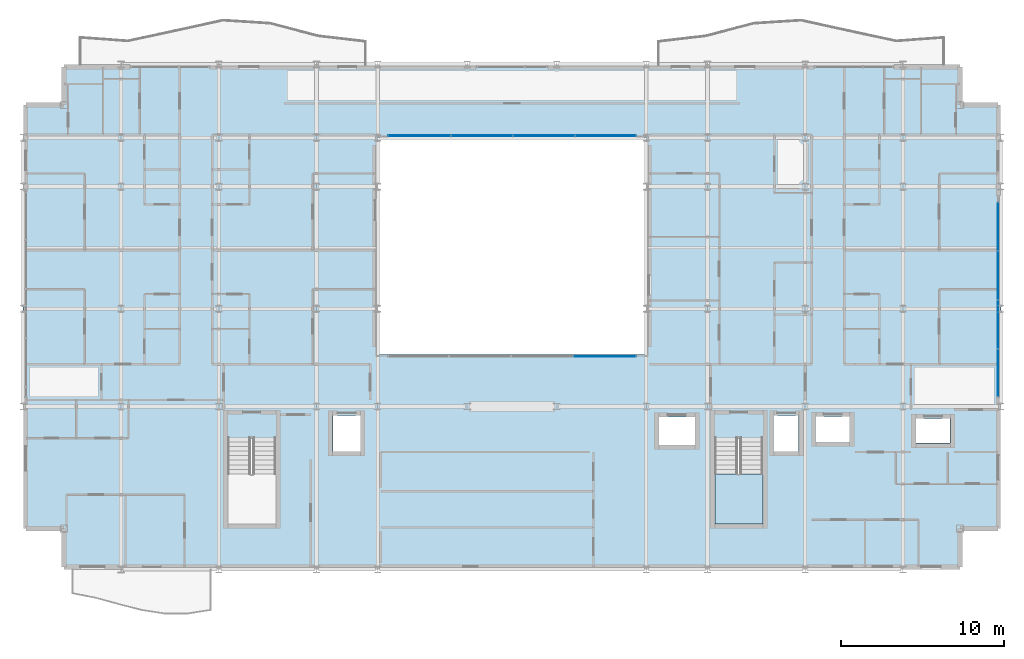
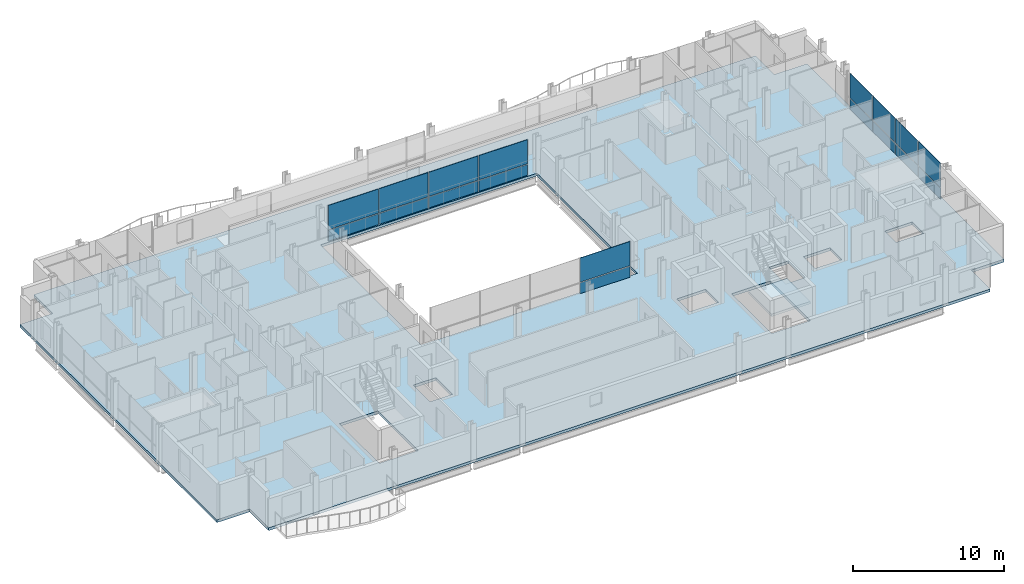
# One storey, part 27 of 41: 18 plates, 2 slabs, 4 elements without a shape of their own.
"""IFC4 building model written with IfcOpenShell, lengths in metres."""

from ifc_helpers import new_model, si_unit, direction, frame, origin, origin_2d, place, context, subcontext, project, spatial, polyline, rectangle, outline, extrude, material, layer, layer_set, type_object, element, aggregate, save


model = new_model("IFC4")

# Units and contexts
model_context = context("Model", 3, precision=1e-05, world=origin(), true_north=direction((0.0, 1.0)))
body_context = subcontext(model_context, "Body", "Model", "MODEL_VIEW")
ifc_project = project(units=[si_unit("LENGTHUNIT", "METRE"), si_unit("AREAUNIT", "SQUARE_METRE"), si_unit("VOLUMEUNIT", "CUBIC_METRE"), si_unit("PLANEANGLEUNIT", "RADIAN"), si_unit("MASSUNIT", "GRAM", prefix="KILO")], contexts=[model_context])

# Site, building, storey
site_placement = place(None, origin())
site = spatial("IfcSite", under=ifc_project, at=site_placement, CompositionType="ELEMENT")
building_placement = place(site_placement, origin())
building = spatial("IfcBuilding", under=site, at=building_placement, Name="Brevholm Reach", CompositionType="ELEMENT")
storey_placement = place(building_placement, frame((0.0, 0.0, 112.800048828125)))
storey = spatial("IfcBuildingStorey", under=building, at=storey_placement, Name="L33", CompositionType="ELEMENT", Elevation=112.800048828125)

# Curtain wall, plates
ifc_material_1 = material(Name="Dark Anodised Aluminium 6063-T6 and Solar-Control Glass", Category="aluminium")
ifc_layer_1 = layer(ifc_material_1, 0.14990234375)
ifc_layer_set_1 = layer_set([ifc_layer_1], Name="Dark Anodised Aluminium 6063-T6 and Solar-Control Glass")
curtain_wall_type_1 = type_object("IfcCurtainWallType", Name="CW-01", PredefinedType="NOTDEFINED", material=ifc_layer_set_1)
curtain_wall_1_placement = place(storey_placement, origin())
curtain_wall_1 = element("IfcCurtainWall", 1, at=curtain_wall_1_placement, inside=storey, type_object=curtain_wall_type_1, Name="L33 Curtain Wall CW-01", PredefinedType="NOTDEFINED")
ifc_material_2 = material(Name="Dark Solar-Control Double-Glazed IGU Glass", Category="glass")
ifc_layer_2 = layer(ifc_material_2, 0.028076171875)
ifc_layer_set_2 = layer_set([ifc_layer_2], Name="Dark Solar-Control Double-Glazed IGU Glass")
plate_type_1 = type_object("IfcPlateType", Name="CWP-GLZ-28", PredefinedType="CURTAIN_PANEL", material=ifc_layer_set_2)
plate_1_placement = place(storey_placement, frame((59.85009765625, 12.066162109375, 0.0), z_axis=(0.0, 0.0, 1.0), x_axis=(0.0, 1.0, 0.0)))
plate_1 = element("IfcPlate", 2, at=plate_1_placement, type_object=plate_type_1, Name="CP-01 Glazing Panel 1.1", PredefinedType="CURTAIN_PANEL", context=body_context, shape_type="SweptSolid", body=[
    extrude(rectangle(XDim=2.902587890625, YDim=0.028076171875, at=origin_2d()), origin(), (0.0, 0.0, 1.0), 0.867431640625),
])
plate_2_placement = place(storey_placement, frame((59.85009765625, 12.066162109375, 0.9326171875), z_axis=(0.0, 0.0, 1.0), x_axis=(0.0, 1.0, 0.0)))
plate_2 = element("IfcPlate", 3, at=plate_2_placement, type_object=plate_type_1, Name="CP-01 Glazing Panel 1.2", PredefinedType="CURTAIN_PANEL", context=body_context, shape_type="SweptSolid", body=[
    extrude(rectangle(XDim=2.902587890625, YDim=0.028076171875, at=origin_2d()), origin(), (0.0, 0.0, 1.0), 1.947509765625),
])
plate_3_placement = place(storey_placement, frame((59.85009765625, 15.050048828125, 0.0), z_axis=(0.0, 0.0, 1.0), x_axis=(0.0, 1.0, 0.0)))
plate_3 = element("IfcPlate", 4, at=plate_3_placement, type_object=plate_type_1, Name="CP-01 Glazing Panel 2.1", PredefinedType="CURTAIN_PANEL", context=body_context, shape_type="SweptSolid", body=[
    extrude(rectangle(XDim=2.93505859375, YDim=0.028076171875, at=origin_2d()), origin(), (0.0, 0.0, 1.0), 0.867431640625),
])
plate_4_placement = place(storey_placement, frame((59.85009765625, 15.050048828125, 0.9326171875), z_axis=(0.0, 0.0, 1.0), x_axis=(0.0, 1.0, 0.0)))
plate_4 = element("IfcPlate", 5, at=plate_4_placement, type_object=plate_type_1, Name="CP-01 Glazing Panel 2.2", PredefinedType="CURTAIN_PANEL", context=body_context, shape_type="SweptSolid", body=[
    extrude(rectangle(XDim=2.93505859375, YDim=0.028076171875, at=origin_2d()), origin(), (0.0, 0.0, 1.0), 1.947509765625),
])
plate_5_placement = place(storey_placement, frame((59.85009765625, 18.050048828125, 0.0), z_axis=(0.0, 0.0, 1.0), x_axis=(0.0, 1.0, 0.0)))
plate_5 = element("IfcPlate", 6, at=plate_5_placement, type_object=plate_type_1, Name="CP-01 Glazing Panel 3.1", PredefinedType="CURTAIN_PANEL", context=body_context, shape_type="SweptSolid", body=[
    extrude(rectangle(XDim=2.93505859375, YDim=0.028076171875, at=origin_2d()), origin(), (0.0, 0.0, 1.0), 0.867431640625),
])
plate_6_placement = place(storey_placement, frame((59.85009765625, 18.050048828125, 0.9326171875), z_axis=(0.0, 0.0, 1.0), x_axis=(0.0, 1.0, 0.0)))
plate_6 = element("IfcPlate", 7, at=plate_6_placement, type_object=plate_type_1, Name="CP-01 Glazing Panel 3.2", PredefinedType="CURTAIN_PANEL", context=body_context, shape_type="SweptSolid", body=[
    extrude(rectangle(XDim=2.93505859375, YDim=0.028076171875, at=origin_2d()), origin(), (0.0, 0.0, 1.0), 1.947509765625),
])
plate_7_placement = place(storey_placement, frame((59.85009765625, 21.050048828125, 0.0), z_axis=(0.0, 0.0, 1.0), x_axis=(0.0, 1.0, 0.0)))
plate_7 = element("IfcPlate", 8, at=plate_7_placement, type_object=plate_type_1, Name="CP-01 Glazing Panel 4.1", PredefinedType="CURTAIN_PANEL", context=body_context, shape_type="SweptSolid", body=[
    extrude(rectangle(XDim=2.93505859375, YDim=0.028076171875, at=origin_2d()), origin(), (0.0, 0.0, 1.0), 0.867431640625),
])
plate_8_placement = place(storey_placement, frame((59.85009765625, 21.050048828125, 0.9326171875), z_axis=(0.0, 0.0, 1.0), x_axis=(0.0, 1.0, 0.0)))
plate_8 = element("IfcPlate", 9, at=plate_8_placement, type_object=plate_type_1, Name="CP-01 Glazing Panel 4.2", PredefinedType="CURTAIN_PANEL", context=body_context, shape_type="SweptSolid", body=[
    extrude(rectangle(XDim=2.93505859375, YDim=0.028076171875, at=origin_2d()), origin(), (0.0, 0.0, 1.0), 1.947509765625),
])
aggregate(curtain_wall_1, [plate_1, plate_2, plate_3, plate_4, plate_5, plate_6, plate_7, plate_8])

ifc_material_3 = material(Name="Dark Anodised Aluminium 6063-T6 and Solar-Control Glass", Category="aluminium")
ifc_layer_3 = layer(ifc_material_3, 0.139892578125)
ifc_layer_set_3 = layer_set([ifc_layer_3], Name="Dark Anodised Aluminium 6063-T6 and Solar-Control Glass")
curtain_wall_type_2 = type_object("IfcCurtainWallType", Name="CW-02", PredefinedType="NOTDEFINED", material=ifc_layer_set_3)
curtain_wall_2_placement = place(storey_placement, origin())
curtain_wall_2 = element("IfcCurtainWall", 10, at=curtain_wall_2_placement, inside=storey, type_object=curtain_wall_type_2, Name="L33 Curtain Wall CW-02", PredefinedType="NOTDEFINED")
ifc_material_4 = material(Name="Low-Iron Laminated Acoustic Glass", Category="glass")
ifc_layer_4 = layer(ifc_material_4, 0.035888671875)
ifc_layer_set_4 = layer_set([ifc_layer_4], Name="Low-Iron Laminated Acoustic Glass")
plate_type_2 = type_object("IfcPlateType", Name="CWP-GLZ-36", PredefinedType="CURTAIN_PANEL", material=ifc_layer_set_4)
plate_9_placement = place(storey_placement, frame((35.68505859375, 13.080078125, 0.0), z_axis=(0.0, 0.0, 1.0), x_axis=(1.0, 0.0, 0.0)))
plate_9 = element("IfcPlate", 11, at=plate_9_placement, type_object=plate_type_2, Name="CP-02 Glazing Panel 4.1", PredefinedType="CURTAIN_PANEL", context=body_context, shape_type="SweptSolid", body=[
    extrude(rectangle(XDim=3.81005859375, YDim=0.035888671875, at=origin_2d()), origin(), (0.0, 0.0, 1.0), 0.8701171875),
])
plate_10_placement = place(storey_placement, frame((35.68505859375, 13.080078125, 0.93017578125), z_axis=(0.0, 0.0, 1.0), x_axis=(1.0, 0.0, 0.0)))
plate_10 = element("IfcPlate", 12, at=plate_10_placement, type_object=plate_type_2, Name="CP-02 Glazing Panel 4.2", PredefinedType="CURTAIN_PANEL", context=body_context, shape_type="SweptSolid", body=[
    extrude(rectangle(XDim=3.81005859375, YDim=0.035888671875, at=origin_2d()), origin(), (0.0, 0.0, 1.0), 1.949951171875),
])
aggregate(curtain_wall_2, [plate_9, plate_10])

curtain_wall_3_placement = place(storey_placement, origin())
curtain_wall_3 = element("IfcCurtainWall", 13, at=curtain_wall_3_placement, inside=storey, type_object=curtain_wall_type_2, Name="L33 Curtain Wall CW-02", PredefinedType="NOTDEFINED")
plate_11_placement = place(storey_placement, frame((35.735107421875, 26.6201171875, 0.0), z_axis=(0.0, 0.0, 1.0), x_axis=(-1.0, 0.0, 0.0)))
plate_11 = element("IfcPlate", 14, at=plate_11_placement, type_object=plate_type_2, Name="CP-02 Glazing Panel 1.1", PredefinedType="CURTAIN_PANEL", context=body_context, shape_type="SweptSolid", body=[
    extrude(rectangle(XDim=3.7099609375, YDim=0.035888671875, at=origin_2d()), origin(), (0.0, 0.0, 1.0), 0.8701171875),
])
plate_12_placement = place(storey_placement, frame((35.735107421875, 26.6201171875, 0.93017578125), z_axis=(0.0, 0.0, 1.0), x_axis=(-1.0, 0.0, 0.0)))
plate_12 = element("IfcPlate", 15, at=plate_12_placement, type_object=plate_type_2, Name="CP-02 Glazing Panel 1.2", PredefinedType="CURTAIN_PANEL", context=body_context, shape_type="SweptSolid", body=[
    extrude(rectangle(XDim=3.7099609375, YDim=0.035888671875, at=origin_2d()), origin(), (0.0, 0.0, 1.0), 1.949951171875),
])
plate_13_placement = place(storey_placement, frame((31.949951171875, 26.6201171875, 0.0), z_axis=(0.0, 0.0, 1.0), x_axis=(-1.0, 0.0, 0.0)))
plate_13 = element("IfcPlate", 16, at=plate_13_placement, type_object=plate_type_2, Name="CP-02 Glazing Panel 2.1", PredefinedType="CURTAIN_PANEL", context=body_context, shape_type="SweptSolid", body=[
    extrude(rectangle(XDim=3.739990234375, YDim=0.035888671875, at=origin_2d()), origin(), (0.0, 0.0, 1.0), 0.8701171875),
])
plate_14_placement = place(storey_placement, frame((31.949951171875, 26.6201171875, 0.93017578125), z_axis=(0.0, 0.0, 1.0), x_axis=(-1.0, 0.0, 0.0)))
plate_14 = element("IfcPlate", 17, at=plate_14_placement, type_object=plate_type_2, Name="CP-02 Glazing Panel 2.2", PredefinedType="CURTAIN_PANEL", context=body_context, shape_type="SweptSolid", body=[
    extrude(rectangle(XDim=3.739990234375, YDim=0.035888671875, at=origin_2d()), origin(), (0.0, 0.0, 1.0), 1.949951171875),
])
plate_15_placement = place(storey_placement, frame((28.14990234375, 26.6201171875, 0.0), z_axis=(0.0, 0.0, 1.0), x_axis=(-1.0, 0.0, 0.0)))
plate_15 = element("IfcPlate", 18, at=plate_15_placement, type_object=plate_type_2, Name="CP-02 Glazing Panel 3.1", PredefinedType="CURTAIN_PANEL", context=body_context, shape_type="SweptSolid", body=[
    extrude(rectangle(XDim=3.739990234375, YDim=0.035888671875, at=origin_2d()), origin(), (0.0, 0.0, 1.0), 0.8701171875),
])
plate_16_placement = place(storey_placement, frame((28.14990234375, 26.6201171875, 0.93017578125), z_axis=(0.0, 0.0, 1.0), x_axis=(-1.0, 0.0, 0.0)))
plate_16 = element("IfcPlate", 19, at=plate_16_placement, type_object=plate_type_2, Name="CP-02 Glazing Panel 3.2", PredefinedType="CURTAIN_PANEL", context=body_context, shape_type="SweptSolid", body=[
    extrude(rectangle(XDim=3.739990234375, YDim=0.035888671875, at=origin_2d()), origin(), (0.0, 0.0, 1.0), 1.949951171875),
])
plate_17_placement = place(storey_placement, frame((24.31494140625, 26.6201171875, 0.0), z_axis=(0.0, 0.0, 1.0), x_axis=(-1.0, 0.0, 0.0)))
plate_17 = element("IfcPlate", 20, at=plate_17_placement, type_object=plate_type_2, Name="CP-02 Glazing Panel 4.1", PredefinedType="CURTAIN_PANEL", context=body_context, shape_type="SweptSolid", body=[
    extrude(rectangle(XDim=3.81005859375, YDim=0.035888671875, at=origin_2d()), origin(), (0.0, 0.0, 1.0), 0.8701171875),
])
plate_18_placement = place(storey_placement, frame((24.31494140625, 26.6201171875, 0.93017578125), z_axis=(0.0, 0.0, 1.0), x_axis=(-1.0, 0.0, 0.0)))
plate_18 = element("IfcPlate", 21, at=plate_18_placement, type_object=plate_type_2, Name="CP-02 Glazing Panel 4.2", PredefinedType="CURTAIN_PANEL", context=body_context, shape_type="SweptSolid", body=[
    extrude(rectangle(XDim=3.81005859375, YDim=0.035888671875, at=origin_2d()), origin(), (0.0, 0.0, 1.0), 1.949951171875),
])
aggregate(curtain_wall_3, [plate_11, plate_12, plate_13, plate_14, plate_15, plate_16, plate_17, plate_18])

# Slab
ifc_material_5 = material(Name="Concrete C40/50", Category="concrete")
ifc_layer_5 = layer(ifc_material_5, 0.219970703125)
ifc_layer_set_5 = layer_set([ifc_layer_5], Name="Concrete C40/50")
slab_type_1 = type_object("IfcSlabType", Name="SLB-FL-220", PredefinedType="FLOOR", material=ifc_layer_set_5)
slab_1_placement = place(storey_placement, frame((0.0, 0.0, -0.219970703125)))
element("IfcSlab", 22, at=slab_1_placement, inside=storey, type_object=slab_type_1, Name="L33 Suspended Floor Slab (main)", PredefinedType="FLOOR", context=body_context, shape_type="SweptSolid", body=[
    extrude(outline(polyline([(2.5, 0.0), (57.5, 0.0), (57.5, 2.5), (60.0, 2.5), (60.0, 28.5), (57.5, 28.5), (57.5, 31.0), (2.5, 31.0), (2.5, 28.5), (0.0, 28.5), (0.0, 2.5), (2.5, 2.5), (2.5, 0.0)]), holes=[polyline([(21.75, 13.199951171875), (38.25, 13.199951171875), (38.25, 26.5), (21.75, 26.5), (21.75, 13.199951171875)]), polyline([(12.550048828125, 2.780029296875), (15.5, 2.780029296875), (15.5, 8.044921875), (12.550048828125, 8.044921875), (12.550048828125, 2.780029296875)]), polyline([(42.449951171875, 2.780029296875), (45.39990234375, 2.780029296875), (45.39990234375, 8.044921875), (42.449951171875, 8.044921875), (42.449951171875, 2.780029296875)]), polyline([(19.0, 7.25), (20.699951171875, 7.25), (20.699951171875, 9.449951171875), (19.0, 9.449951171875), (19.0, 7.25)]), polyline([(46.10009765625, 7.25), (47.60009765625, 7.25), (47.60009765625, 9.449951171875), (46.10009765625, 9.449951171875), (46.10009765625, 7.25)]), polyline([(48.675048828125, 7.824951171875), (50.72509765625, 7.824951171875), (50.72509765625, 9.375), (48.675048828125, 9.375), (48.675048828125, 7.824951171875)]), polyline([(54.800048828125, 7.75), (56.89990234375, 7.75), (56.89990234375, 9.25), (54.800048828125, 9.25), (54.800048828125, 7.75)]), polyline([(39.02001953125, 7.64990234375), (41.219970703125, 7.64990234375), (41.219970703125, 9.35009765625), (39.02001953125, 9.35009765625), (39.02001953125, 7.64990234375)])]), origin(), (0.0, 0.0, 1.0), 0.219970703125),
])

# Stair, slab
ifc_material_6 = material(Name="Precast Concrete C40/50", Category="concrete")
stair_type = type_object("IfcStairType", Name="STR-ESC-1400", PredefinedType="DOUBLE_RETURN_STAIR", material=ifc_material_6)
stair_placement = place(storey_placement, origin())
stair = element("IfcStair", 23, at=stair_placement, inside=storey, type_object=stair_type, Name="L33 ST-2", PredefinedType="DOUBLE_RETURN_STAIR")
ifc_material_7 = material(Name="Concrete C40/50", Category="concrete")
ifc_layer_6 = layer(ifc_material_7, 0.199951171875)
ifc_layer_set_6 = layer_set([ifc_layer_6], Name="Concrete C40/50")
slab_type_2 = type_object("IfcSlabType", Name="SLB-LND-200", PredefinedType="LANDING", material=ifc_layer_set_6)
slab_2_placement = place(storey_placement, frame((0.0, 0.0, 1.349853515625)))
slab_2 = element("IfcSlab", 24, at=slab_2_placement, type_object=slab_type_2, Name="ST-2 landing 1", PredefinedType="LANDING", context=body_context, shape_type="SweptSolid", body=[
    extrude(outline(polyline([(42.449951171875, 5.860107421875), (42.449951171875, 2.780029296875), (45.39990234375, 2.780029296875), (45.39990234375, 5.860107421875), (42.449951171875, 5.860107421875)])), origin(), (0.0, 0.0, 1.0), 0.2001953125),
])
aggregate(stair, [slab_2])

save(model, "model.ifc")
